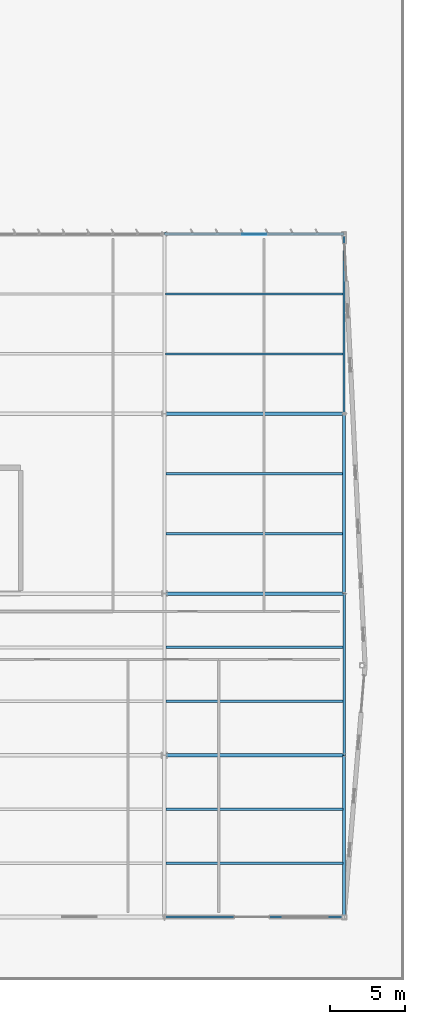
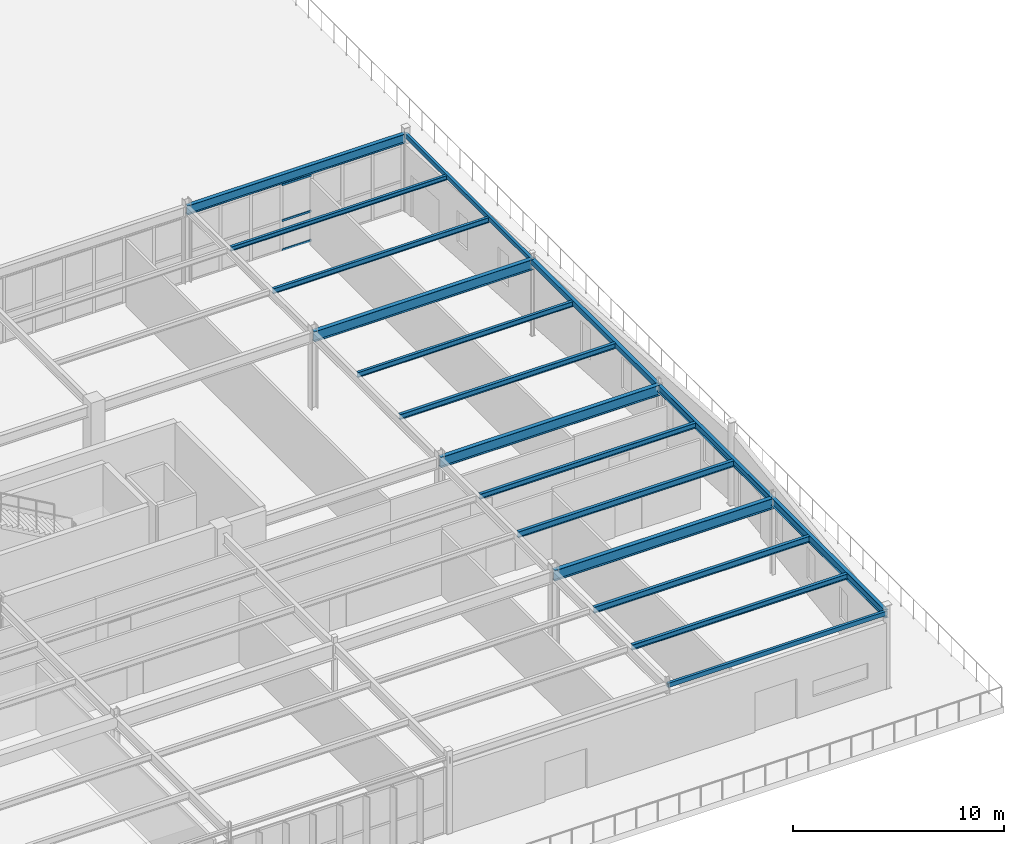
# One storey, part 98 of 199: 17 beams, 3 members, 1 element without a shape of its own.
"""IFC4 building model written with IfcOpenShell, lengths in metres."""

from ifc_helpers import new_model, si_unit, direction, frame, origin, origin_2d, place, context, subcontext, project, spatial, rectangle, hollow_rectangle, i_section, extrude, material, layer, layer_set, material_profile, profile_set, type_object, element, aggregate, save


model = new_model("IFC4")

# Units and contexts
model_context = context("Model", 3, precision=1e-05, world=origin(), true_north=direction((0.0, 1.0)))
body_context = subcontext(model_context, "Body", "Model", "MODEL_VIEW")
ifc_project = project(units=[si_unit("LENGTHUNIT", "METRE"), si_unit("AREAUNIT", "SQUARE_METRE"), si_unit("VOLUMEUNIT", "CUBIC_METRE"), si_unit("PLANEANGLEUNIT", "RADIAN"), si_unit("MASSUNIT", "GRAM", prefix="KILO")], contexts=[model_context])

# Site, building, storey
site_placement = place(None, origin())
site = spatial("IfcSite", under=ifc_project, at=site_placement, CompositionType="ELEMENT")
building_placement = place(site_placement, origin())
building = spatial("IfcBuilding", under=site, at=building_placement, Name="Tarnwether General Hospital", CompositionType="ELEMENT")
storey_placement = place(building_placement, origin())
storey = spatial("IfcBuildingStorey", under=building, at=storey_placement, Name="L00", CompositionType="ELEMENT", Elevation=0.0)

# Beams
ifc_material_1 = material(Name="Steel Grade 350 (350 MPa)", Category="steel")
ifc_material_profile_1 = material_profile(ifc_material_1, i_section(OverallWidth=0.22900390625, OverallDepth=0.612060546875, WebThickness=0.011962890625, FlangeThickness=0.01953125, at=origin_2d()), Name="610UB125")
ifc_profile_set_1 = profile_set([ifc_material_profile_1], Name="Steel Grade 350 (350 MPa)")
beam_type_1 = type_object("IfcBeamType", Name="BM-G03", PredefinedType="BEAM", material=ifc_profile_set_1)
beam_1_placement = place(storey_placement, frame((180.0, 10.800048828125, 4.138916015625), z_axis=(1.0, 0.0, 0.0), x_axis=(0.0, 1.0, 0.0)))
element("IfcBeam", 1, at=beam_1_placement, inside=storey, type_object=beam_type_1, Name="Primary Girder BMG-L00-18000_1080-19200_1080-0839", PredefinedType="BEAM", context=body_context, shape_type="SweptSolid", body=[
    extrude(i_section(OverallWidth=0.22900390625, OverallDepth=0.612060546875, WebThickness=0.011962890625, FlangeThickness=0.01953125, at=origin_2d()), origin(), (0.0, 0.0, 1.0), 12.0),
])
ifc_material_2 = material(Name="Steel Grade 350 (350 MPa)", Category="steel")
ifc_material_profile_2 = material_profile(ifc_material_2, i_section(OverallWidth=0.22802734375, OverallDepth=0.60693359375, WebThickness=0.01123046875, FlangeThickness=0.017333984375, at=origin_2d()), Name="610UB113")
ifc_profile_set_2 = profile_set([ifc_material_profile_2], Name="Steel Grade 350 (350 MPa)")
beam_type_2 = type_object("IfcBeamType", Name="BM-G04", PredefinedType="BEAM", material=ifc_profile_set_2)
beam_2_placement = place(storey_placement, frame((180.0, 21.60009765625, 4.1416015625), z_axis=(1.0, 0.0, 0.0), x_axis=(0.0, 1.0, 0.0)))
element("IfcBeam", 2, at=beam_2_placement, inside=storey, type_object=beam_type_2, Name="Primary Girder BMG-L00-18000_2160-19200_2160-0841", PredefinedType="BEAM", context=body_context, shape_type="SweptSolid", body=[
    extrude(i_section(OverallWidth=0.22802734375, OverallDepth=0.60693359375, WebThickness=0.01123046875, FlangeThickness=0.017333984375, at=origin_2d()), origin(), (0.0, 0.0, 1.0), 12.0),
])
ifc_material_3 = material(Name="Steel Grade 350 (350 MPa)", Category="steel")
ifc_material_profile_3 = material_profile(ifc_material_3, i_section(OverallWidth=0.22802734375, OverallDepth=0.60205078125, WebThickness=0.010498046875, FlangeThickness=0.014892578125, at=origin_2d()), Name="610UB101")
ifc_profile_set_3 = profile_set([ifc_material_profile_3], Name="Steel Grade 350 (350 MPa)")
beam_type_3 = type_object("IfcBeamType", Name="BM-G05", PredefinedType="BEAM", material=ifc_profile_set_3)
beam_3_placement = place(storey_placement, frame((180.0, 33.60009765625, 4.14404296875), z_axis=(1.0, 0.0, 0.0), x_axis=(0.0, 1.0, 0.0)))
element("IfcBeam", 3, at=beam_3_placement, inside=storey, type_object=beam_type_3, Name="Primary Girder BMG-L00-18000_3360-19200_3360-0843", PredefinedType="BEAM", context=body_context, shape_type="SweptSolid", body=[
    extrude(i_section(OverallWidth=0.22802734375, OverallDepth=0.60205078125, WebThickness=0.010498046875, FlangeThickness=0.014892578125, at=origin_2d()), origin(), (0.0, 0.0, 1.0), 12.0),
])
ifc_material_4 = material(Name="Steel Grade 350 (350 MPa)", Category="steel")
ifc_material_profile_4 = material_profile(ifc_material_4, i_section(OverallWidth=0.208984375, OverallDepth=0.532958984375, WebThickness=0.01025390625, FlangeThickness=0.015625, at=origin_2d()), Name="530UB92.4")
ifc_profile_set_4 = profile_set([ifc_material_profile_4], Name="Steel Grade 350 (350 MPa)")
beam_type_4 = type_object("IfcBeamType", Name="BM-G06", PredefinedType="BEAM", material=ifc_profile_set_4)
beam_4_placement = place(storey_placement, frame((180.0, 45.60009765625, 4.178466796875), z_axis=(1.0, 0.0, 0.0), x_axis=(0.0, 1.0, 0.0)))
element("IfcBeam", 4, at=beam_4_placement, inside=storey, type_object=beam_type_4, Name="Primary Girder BMG-L00-18000_4560-19200_4560-0845", PredefinedType="BEAM", context=body_context, shape_type="SweptSolid", body=[
    extrude(i_section(OverallWidth=0.208984375, OverallDepth=0.532958984375, WebThickness=0.01025390625, FlangeThickness=0.015625, at=origin_2d()), origin(), (0.0, 0.0, 1.0), 12.0),
])
ifc_material_5 = material(Name="Steel Grade 350 (350 MPa)", Category="steel")
ifc_material_profile_5 = material_profile(ifc_material_5, i_section(OverallWidth=0.166015625, OverallDepth=0.306884765625, WebThickness=0.006591796875, FlangeThickness=0.01171875, at=origin_2d()), Name="310UB46.2")
ifc_profile_set_5 = profile_set([ifc_material_profile_5], Name="Steel Grade 350 (350 MPa)")
beam_type_5 = type_object("IfcBeamType", Name="BM-J05", PredefinedType="JOIST", material=ifc_profile_set_5)
beam_5_placement = place(storey_placement, frame((180.10791015625, 3.60009765625, 4.29150390625), z_axis=(1.0, 0.0, 0.0), x_axis=(0.0, 1.0, 0.0)))
element("IfcBeam", 5, at=beam_5_placement, inside=storey, type_object=beam_type_5, Name="Composite Floor Joist BMG-L00-18011_360-19191_360-1029", PredefinedType="JOIST", context=body_context, shape_type="SweptSolid", body=[
    extrude(i_section(OverallWidth=0.166015625, OverallDepth=0.306884765625, WebThickness=0.006591796875, FlangeThickness=0.01171875, at=origin_2d()), origin(), (0.0, 0.0, 1.0), 11.802978515625),
])
ifc_material_6 = material(Name="Steel Grade 350 (350 MPa)", Category="steel")
ifc_material_profile_6 = material_profile(ifc_material_6, i_section(OverallWidth=0.1708984375, OverallDepth=0.35205078125, WebThickness=0.0068359375, FlangeThickness=0.009765625, at=origin_2d()), Name="360UB44.7")
ifc_profile_set_6 = profile_set([ifc_material_profile_6], Name="Steel Grade 350 (350 MPa)")
beam_type_6 = type_object("IfcBeamType", Name="BM-J06", PredefinedType="JOIST", material=ifc_profile_set_6)
beam_6_placement = place(storey_placement, frame((180.10791015625, 7.199951171875, 4.26904296875), z_axis=(1.0, 0.0, 0.0), x_axis=(0.0, 1.0, 0.0)))
element("IfcBeam", 6, at=beam_6_placement, inside=storey, type_object=beam_type_6, Name="Composite Floor Joist BMG-L00-18011_720-19191_720-1030", PredefinedType="JOIST", context=body_context, shape_type="SweptSolid", body=[
    extrude(i_section(OverallWidth=0.1708984375, OverallDepth=0.35205078125, WebThickness=0.0068359375, FlangeThickness=0.009765625, at=origin_2d()), origin(), (0.0, 0.0, 1.0), 11.802978515625),
])
beam_7_placement = place(storey_placement, frame((180.09912109375, 14.39990234375, 4.26904296875), z_axis=(1.0, 0.0, 0.0), x_axis=(0.0, 1.0, 0.0)))
element("IfcBeam", 7, at=beam_7_placement, inside=storey, type_object=beam_type_6, Name="Composite Floor Joist BMG-L00-18010_1440-19192_1440-1031", PredefinedType="JOIST", context=body_context, shape_type="SweptSolid", body=[
    extrude(i_section(OverallWidth=0.1708984375, OverallDepth=0.35205078125, WebThickness=0.0068359375, FlangeThickness=0.009765625, at=origin_2d()), origin(), (0.0, 0.0, 1.0), 11.81787109375),
])
ifc_material_7 = material(Name="Steel Grade 350 (350 MPa)", Category="steel")
ifc_material_profile_7 = material_profile(ifc_material_7, i_section(OverallWidth=0.1650390625, OverallDepth=0.303955078125, WebThickness=0.006103515625, FlangeThickness=0.01025390625, at=origin_2d()), Name="310UB40.4")
ifc_profile_set_7 = profile_set([ifc_material_profile_7], Name="Steel Grade 350 (350 MPa)")
beam_type_7 = type_object("IfcBeamType", Name="BM-J07", PredefinedType="JOIST", material=ifc_profile_set_7)
beam_8_placement = place(storey_placement, frame((180.09912109375, 18.0, 4.29296875), z_axis=(1.0, 0.0, 0.0), x_axis=(0.0, 1.0, 0.0)))
element("IfcBeam", 8, at=beam_8_placement, inside=storey, type_object=beam_type_7, Name="Composite Floor Joist BMG-L00-18010_1800-19192_1800-1032", PredefinedType="JOIST", context=body_context, shape_type="SweptSolid", body=[
    extrude(i_section(OverallWidth=0.1650390625, OverallDepth=0.303955078125, WebThickness=0.006103515625, FlangeThickness=0.01025390625, at=origin_2d()), origin(), (0.0, 0.0, 1.0), 11.81787109375),
])
beam_9_placement = place(storey_placement, frame((180.09912109375, 25.60009765625, 4.29296875), z_axis=(1.0, 0.0, 0.0), x_axis=(0.0, 1.0, 0.0)))
element("IfcBeam", 9, at=beam_9_placement, inside=storey, type_object=beam_type_7, Name="Composite Floor Joist BMG-L00-18010_2560-19191_2560-1033", PredefinedType="JOIST", context=body_context, shape_type="SweptSolid", body=[
    extrude(i_section(OverallWidth=0.1650390625, OverallDepth=0.303955078125, WebThickness=0.006103515625, FlangeThickness=0.01025390625, at=origin_2d()), origin(), (0.0, 0.0, 1.0), 11.806884765625),
])
ifc_material_8 = material(Name="Steel Grade 350 (350 MPa)", Category="steel")
ifc_material_profile_8 = material_profile(ifc_material_8, i_section(OverallWidth=0.14892578125, OverallDepth=0.298095703125, WebThickness=0.005615234375, FlangeThickness=0.008056640625, at=origin_2d()), Name="310UB32.0")
ifc_profile_set_8 = profile_set([ifc_material_profile_8], Name="Steel Grade 350 (350 MPa)")
beam_type_8 = type_object("IfcBeamType", Name="BM-J08", PredefinedType="JOIST", material=ifc_profile_set_8)
beam_10_placement = place(storey_placement, frame((180.09912109375, 29.60009765625, 4.2958984375), z_axis=(1.0, 0.0, 0.0), x_axis=(0.0, 1.0, 0.0)))
element("IfcBeam", 10, at=beam_10_placement, inside=storey, type_object=beam_type_8, Name="Composite Floor Joist BMG-L00-18010_2960-19191_2960-1034", PredefinedType="JOIST", context=body_context, shape_type="SweptSolid", body=[
    extrude(i_section(OverallWidth=0.14892578125, OverallDepth=0.298095703125, WebThickness=0.005615234375, FlangeThickness=0.008056640625, at=origin_2d()), origin(), (0.0, 0.0, 1.0), 11.806884765625),
])
beam_11_placement = place(storey_placement, frame((180.089111328125, 37.60009765625, 4.2958984375), z_axis=(1.0, 0.0, 0.0), x_axis=(0.0, 1.0, 0.0)))
element("IfcBeam", 11, at=beam_11_placement, inside=storey, type_object=beam_type_8, Name="Composite Floor Joist BMG-L00-18009_3760-19192_3760-1035", PredefinedType="JOIST", context=body_context, shape_type="SweptSolid", body=[
    extrude(i_section(OverallWidth=0.14892578125, OverallDepth=0.298095703125, WebThickness=0.005615234375, FlangeThickness=0.008056640625, at=origin_2d()), origin(), (0.0, 0.0, 1.0), 11.830810546875),
])
ifc_material_9 = material(Name="Steel Grade 350 (350 MPa)", Category="steel")
ifc_material_profile_9 = material_profile(ifc_material_9, i_section(OverallWidth=0.14599609375, OverallDepth=0.256103515625, WebThickness=0.00634765625, FlangeThickness=0.010986328125, at=origin_2d()), Name="250UB37.3")
ifc_profile_set_9 = profile_set([ifc_material_profile_9], Name="Steel Grade 350 (350 MPa)")
beam_type_9 = type_object("IfcBeamType", Name="BM-J09", PredefinedType="JOIST", material=ifc_profile_set_9)
beam_12_placement = place(storey_placement, frame((180.089111328125, 41.60009765625, 4.31689453125), z_axis=(1.0, 0.0, 0.0), x_axis=(0.0, 1.0, 0.0)))
element("IfcBeam", 12, at=beam_12_placement, inside=storey, type_object=beam_type_9, Name="Composite Floor Joist BMG-L00-18009_4160-19192_4160-1036", PredefinedType="JOIST", context=body_context, shape_type="SweptSolid", body=[
    extrude(i_section(OverallWidth=0.14599609375, OverallDepth=0.256103515625, WebThickness=0.00634765625, FlangeThickness=0.010986328125, at=origin_2d()), origin(), (0.0, 0.0, 1.0), 11.830810546875),
])
ifc_material_10 = material(Name="Steel Grade 350 (350 MPa)", Category="steel")
ifc_material_profile_10 = material_profile(ifc_material_10, i_section(OverallWidth=0.18994140625, OverallDepth=0.4541015625, WebThickness=0.008544921875, FlangeThickness=0.0126953125, at=origin_2d()), Name="460UB67.1")
ifc_profile_set_10 = profile_set([ifc_material_profile_10], Name="Steel Grade 350 (350 MPa)")
beam_type_10 = type_object("IfcBeamType", Name="BM-SP1", PredefinedType="SPANDREL", material=ifc_profile_set_10)
beam_13_placement = place(storey_placement, frame((192.0, 0.0, 4.218017578125), z_axis=(0.0, 1.0, 0.0), x_axis=(-1.0, 0.0, 0.0)))
element("IfcBeam", 13, at=beam_13_placement, inside=storey, type_object=beam_type_10, Name="Primary Girder BMG-L00-19200_0-19200_1080-0855", PredefinedType="SPANDREL", context=body_context, shape_type="SweptSolid", body=[
    extrude(i_section(OverallWidth=0.18994140625, OverallDepth=0.4541015625, WebThickness=0.008544921875, FlangeThickness=0.0126953125, at=origin_2d()), origin(), (0.0, 0.0, 1.0), 10.800048828125),
])
ifc_material_11 = material(Name="Steel Grade 350 (350 MPa)", Category="steel")
ifc_material_profile_11 = material_profile(ifc_material_11, i_section(OverallWidth=0.177978515625, OverallDepth=0.403076171875, WebThickness=0.007568359375, FlangeThickness=0.010986328125, at=origin_2d()), Name="410UB53.7")
ifc_profile_set_11 = profile_set([ifc_material_profile_11], Name="Steel Grade 350 (350 MPa)")
beam_type_11 = type_object("IfcBeamType", Name="BM-SP2", PredefinedType="SPANDREL", material=ifc_profile_set_11)
beam_14_placement = place(storey_placement, frame((192.0, 10.800048828125, 4.243408203125), z_axis=(0.0, 1.0, 0.0), x_axis=(-1.0, 0.0, 0.0)))
element("IfcBeam", 14, at=beam_14_placement, inside=storey, type_object=beam_type_11, Name="Primary Girder BMG-L00-19200_1080-19200_2160-0856", PredefinedType="SPANDREL", context=body_context, shape_type="SweptSolid", body=[
    extrude(i_section(OverallWidth=0.177978515625, OverallDepth=0.403076171875, WebThickness=0.007568359375, FlangeThickness=0.010986328125, at=origin_2d()), origin(), (0.0, 0.0, 1.0), 10.800048828125),
])
ifc_material_12 = material(Name="Steel Grade C350L0 (350 MPa)", Category="steel")
ifc_material_profile_12 = material_profile(ifc_material_12, hollow_rectangle(XDim=0.199951171875, YDim=0.300048828125, WallThickness=0.012451171875, at=origin_2d()), Name="RHS300x200x12.5")
ifc_profile_set_12 = profile_set([ifc_material_profile_12], Name="Steel Grade C350L0 (350 MPa)")
beam_type_12 = type_object("IfcBeamType", Name="BM-SP3", PredefinedType="SPANDREL", material=ifc_profile_set_12)
beam_15_placement = place(storey_placement, frame((192.0, 21.60009765625, 4.294921875), z_axis=(0.0, 1.0, 0.0), x_axis=(-1.0, 0.0, 0.0)))
element("IfcBeam", 15, at=beam_15_placement, inside=storey, type_object=beam_type_12, Name="Primary Girder BMG-L00-19200_2160-19200_3360-0857", PredefinedType="SPANDREL", context=body_context, shape_type="SweptSolid", body=[
    extrude(hollow_rectangle(XDim=0.199951171875, YDim=0.300048828125, WallThickness=0.012451171875, at=origin_2d()), origin(), (0.0, 0.0, 1.0), 12.0),
])
ifc_material_13 = material(Name="Steel Grade C350L0 (350 MPa)", Category="steel")
ifc_material_profile_13 = material_profile(ifc_material_13, hollow_rectangle(XDim=0.14990234375, YDim=0.25, WallThickness=0.010009765625, at=origin_2d()), Name="RHS250x150x10")
ifc_profile_set_13 = profile_set([ifc_material_profile_13], Name="Steel Grade C350L0 (350 MPa)")
beam_type_13 = type_object("IfcBeamType", Name="BM-SP4", PredefinedType="SPANDREL", material=ifc_profile_set_13)
beam_16_placement = place(storey_placement, frame((192.0, 33.60009765625, 4.320068359375), z_axis=(0.0, 1.0, 0.0), x_axis=(-1.0, 0.0, 0.0)))
element("IfcBeam", 16, at=beam_16_placement, inside=storey, type_object=beam_type_13, Name="Primary Girder BMG-L00-19200_3360-19200_4560-0858", PredefinedType="SPANDREL", context=body_context, shape_type="SweptSolid", body=[
    extrude(hollow_rectangle(XDim=0.14990234375, YDim=0.25, WallThickness=0.010009765625, at=origin_2d()), origin(), (0.0, 0.0, 1.0), 12.0),
])
ifc_material_14 = material(Name="Steel Grade C350L0 (350 MPa)", Category="steel")
ifc_material_profile_14 = material_profile(ifc_material_14, hollow_rectangle(XDim=0.14990234375, YDim=0.25, WallThickness=0.008056640625, at=origin_2d()), Name="RHS250x150x8")
ifc_profile_set_14 = profile_set([ifc_material_profile_14], Name="Steel Grade C350L0 (350 MPa)")
beam_type_14 = type_object("IfcBeamType", Name="BM-SP8", PredefinedType="SPANDREL", material=ifc_profile_set_14)
beam_17_placement = place(storey_placement, frame((180.0, 0.0, 4.320068359375), z_axis=(1.0, 0.0, 0.0), x_axis=(0.0, 1.0, 0.0)))
element("IfcBeam", 17, at=beam_17_placement, inside=storey, type_object=beam_type_14, Name="Primary Girder BMG-L00-18000_0-19200_0-0837", PredefinedType="SPANDREL", context=body_context, shape_type="SweptSolid", body=[
    extrude(hollow_rectangle(XDim=0.14990234375, YDim=0.25, WallThickness=0.008056640625, at=origin_2d()), origin(), (0.0, 0.0, 1.0), 12.0),
])

# Curtain wall, members
ifc_material_15 = material(Name="Anodised aluminium", Category="aluminium")
ifc_layer = layer(ifc_material_15, 0.159912109375)
ifc_layer_set = layer_set([ifc_layer], Name="Anodised aluminium")
curtain_wall_type = type_object("IfcCurtainWallType", Name="CW-20", PredefinedType="NOTDEFINED", material=ifc_layer_set)
curtain_wall_placement = place(storey_placement, origin())
curtain_wall = element("IfcCurtainWall", 18, at=curtain_wall_placement, inside=storey, type_object=curtain_wall_type, Name="Curtain Wall CWG-L00-1802_456-0289", PredefinedType="NOTDEFINED")
ifc_material_16 = material(Name="Anodised aluminium", Category="aluminium")
ifc_material_profile_15 = material_profile(ifc_material_16, rectangle(XDim=0.06005859375, YDim=0.1201171875, at=origin_2d()), Name="ALU-TRN-60x120")
ifc_profile_set_15 = profile_set([ifc_material_profile_15], Name="Anodised aluminium")
member_type = type_object("IfcMemberType", Name="CW-TR1", PredefinedType="USERDEFINED", material=ifc_profile_set_15)
member_1_placement = place(storey_placement, frame((185.203369140625, 45.60009765625, 0.030029296875), z_axis=(1.0, 0.0, 0.0), x_axis=(0.0, 1.0, 0.0)))
member_1 = element("IfcMember", 19, at=member_1_placement, type_object=member_type, Name="CW-20 transom 4.1", ObjectType="TRANSOM", PredefinedType="USERDEFINED", context=body_context, shape_type="SweptSolid", body=[
    extrude(rectangle(XDim=0.06005859375, YDim=0.1201171875, at=origin_2d()), origin(), (0.0, 0.0, 1.0), 1.607177734375),
])
member_2_placement = place(storey_placement, frame((185.203369140625, 45.60009765625, 1.72265625), z_axis=(1.0, 0.0, 0.0), x_axis=(0.0, 1.0, 0.0)))
member_2 = element("IfcMember", 20, at=member_2_placement, type_object=member_type, Name="CW-20 transom 4.2", ObjectType="TRANSOM", PredefinedType="USERDEFINED", context=body_context, shape_type="SweptSolid", body=[
    extrude(rectangle(XDim=0.06005859375, YDim=0.1201171875, at=origin_2d()), origin(), (0.0, 0.0, 1.0), 1.607177734375),
])
member_3_placement = place(storey_placement, frame((185.203369140625, 45.60009765625, 3.798095703125), z_axis=(1.0, 0.0, 0.0), x_axis=(0.0, 1.0, 0.0)))
member_3 = element("IfcMember", 21, at=member_3_placement, type_object=member_type, Name="CW-20 transom 4.3", ObjectType="TRANSOM", PredefinedType="USERDEFINED", context=body_context, shape_type="SweptSolid", body=[
    extrude(rectangle(XDim=0.06005859375, YDim=0.1201171875, at=origin_2d()), origin(), (0.0, 0.0, 1.0), 1.607177734375),
])
aggregate(curtain_wall, [member_1, member_2, member_3])

save(model, "model.ifc")
